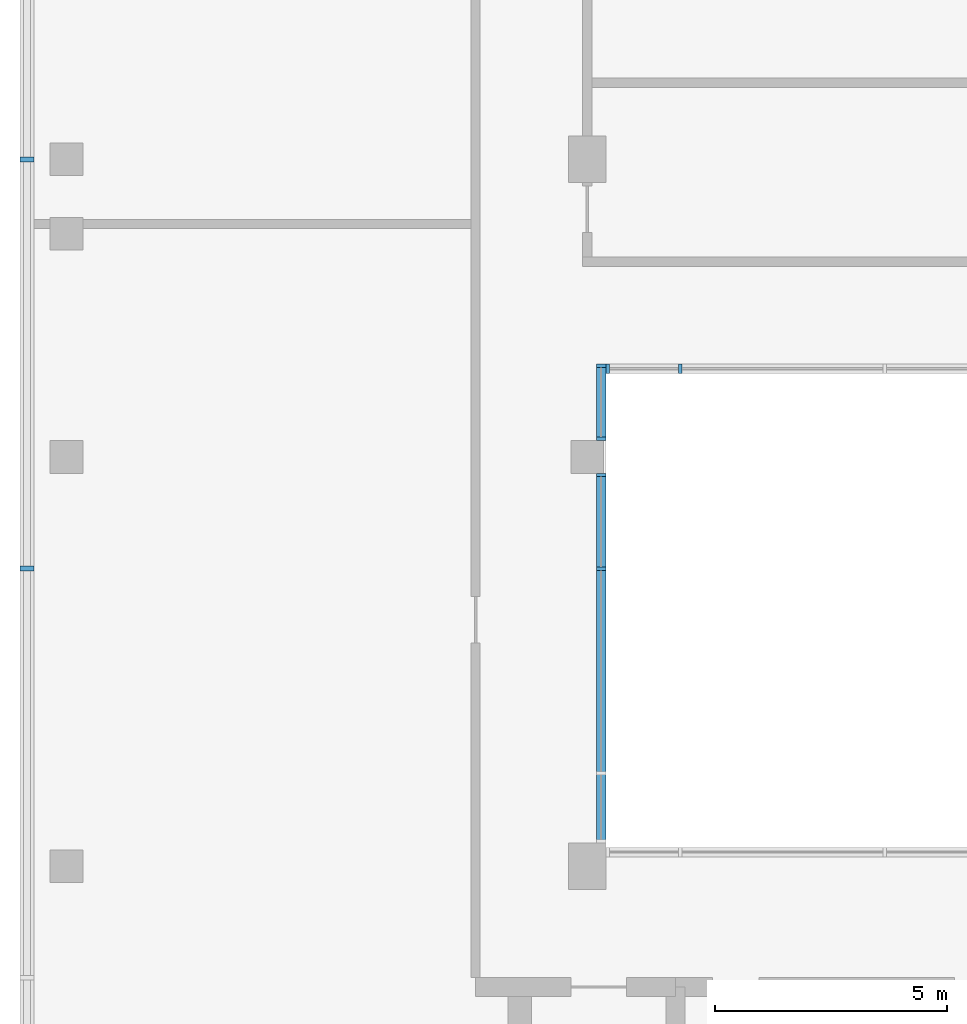
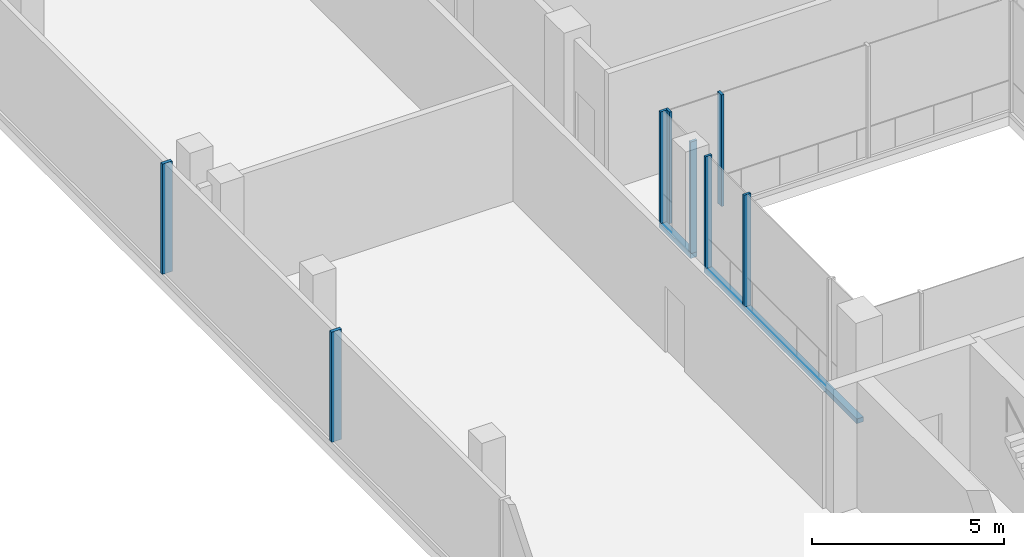
# One storey, part 3 of 10: 10 members, 4 elements without a shape of their own.
"""IFC4 building model written with IfcOpenShell, lengths in metres."""

from ifc_helpers import new_model, si_unit, direction, frame, origin, origin_2d, place, context, subcontext, project, spatial, rectangle, extrude, source, transform, mapped, material, material_profile, profile_set, type_object, element, aggregate, save


model = new_model("IFC4")

# Units and contexts
model_context = context("Model", 3, precision=1e-05, world=origin(), true_north=direction((0.0, 1.0)))
body_context = subcontext(model_context, "Body", "Model", "MODEL_VIEW")
ifc_project = project(units=[si_unit("LENGTHUNIT", "METRE"), si_unit("AREAUNIT", "SQUARE_METRE"), si_unit("VOLUMEUNIT", "CUBIC_METRE"), si_unit("PLANEANGLEUNIT", "RADIAN"), si_unit("MASSUNIT", "GRAM", prefix="KILO")], contexts=[model_context])

# Site, building, storey
site_placement = place(None, origin())
site = spatial("IfcSite", under=ifc_project, at=site_placement, CompositionType="ELEMENT")
building_placement = place(site_placement, origin())
building = spatial("IfcBuilding", under=site, at=building_placement, Name="Kemantara Hotel Tower", CompositionType="ELEMENT")
storey_placement = place(building_placement, frame((0.0, 0.0, 314.199951171875)))
storey = spatial("IfcBuildingStorey", under=building, at=storey_placement, Name="L79", CompositionType="ELEMENT", Elevation=314.199951171875)

# Curtain wall, member
ifc_material_1 = material(Name="Clear low-iron laminated glass 36 mm", Category="glass")
curtain_wall_type_1 = type_object("IfcCurtainWallType", Name="ATRIUM GLAZING WALL", PredefinedType="USERDEFINED", material=ifc_material_1)
curtain_wall_1_placement = place(storey_placement, origin())
curtain_wall_1 = element("IfcCurtainWall", 1, at=curtain_wall_1_placement, inside=storey, type_object=curtain_wall_type_1, Name="CW5 L79 ATR-R3-1", ObjectType="ATRIUM GLAZING WALL", PredefinedType="USERDEFINED")
ifc_material_2 = material(Name="Aluminium 6063-T6 bronze anodised", Category="aluminium")
ifc_material_profile_1 = material_profile(ifc_material_2, rectangle(XDim=0.199951171875, YDim=0.14990234375, at=origin_2d()), Name="ATRIUM GLAZING WALL TRANSOM")
ifc_profile_set_1 = profile_set([ifc_material_profile_1], Name="Aluminium 6063-T6 bronze anodised")
member_type_1 = type_object("IfcMemberType", Name="ATRIUM GLAZING WALL TRANSOM", PredefinedType="USERDEFINED", material=ifc_profile_set_1)
member_1_placement = place(storey_placement, frame((12.5, 12.699951171875, 0.074951171875), z_axis=(0.0, 1.0, 0.0), x_axis=(-1.0, 0.0, 0.0)))
member_1 = element("IfcMember", 2, at=member_1_placement, type_object=member_type_1, Name="CW5 sill transom ATR-R3-1", ObjectType="TRANSOM", PredefinedType="USERDEFINED", context=body_context, shape_type="SweptSolid", body=[
    extrude(rectangle(XDim=0.199951171875, YDim=0.14990234375, at=origin_2d()), origin(), (0.0, 0.0, 1.0), 7.949951171875),
])

curtain_wall_2_placement = place(storey_placement, origin())
curtain_wall_2 = element("IfcCurtainWall", 3, at=curtain_wall_2_placement, inside=storey, type_object=curtain_wall_type_1, Name="CW5 L79 ATR-R3-2", ObjectType="ATRIUM GLAZING WALL", PredefinedType="USERDEFINED")
member_2_placement = place(storey_placement, frame((12.5, 21.35009765625, 0.074951171875), z_axis=(0.0, 1.0, 0.0), x_axis=(-1.0, 0.0, 0.0)))
member_2 = element("IfcMember", 4, at=member_2_placement, type_object=member_type_1, Name="CW5 sill transom ATR-R3-2", ObjectType="TRANSOM", PredefinedType="USERDEFINED", context=body_context, shape_type="SweptSolid", body=[
    extrude(rectangle(XDim=0.199951171875, YDim=0.14990234375, at=origin_2d()), origin(), (0.0, 0.0, 1.0), 1.64990234375),
])

# Curtain wall, members
curtain_wall_type_2 = type_object("IfcCurtainWallType", Name="CROWN LOUVRE SCREEN WALL", PredefinedType="USERDEFINED", material=ifc_material_2)
curtain_wall_3_placement = place(storey_placement, origin())
curtain_wall_3 = element("IfcCurtainWall", 5, at=curtain_wall_3_placement, inside=storey, type_object=curtain_wall_type_2, Name="CW7 L79 CRN-R05-1", ObjectType="CROWN LOUVRE SCREEN WALL", PredefinedType="USERDEFINED")
ifc_material_profile_2 = material_profile(ifc_material_2, rectangle(XDim=0.300048828125, YDim=0.10009765625, at=origin_2d()), Name="CROWN LOUVRE SCREEN WALL MULLION")
ifc_profile_set_2 = profile_set([ifc_material_profile_2], Name="Aluminium 6063-T6 bronze anodised")
member_type_2 = type_object("IfcMemberType", Name="CROWN LOUVRE SCREEN WALL MULLION", PredefinedType="MULLION", material=ifc_profile_set_2)
shared_shape_1 = source(origin(), body_context, "Body", "SweptSolid", [
    extrude(rectangle(XDim=0.300048828125, YDim=0.10009765625, at=origin_2d()), origin(), (0.0, 0.0, 1.0), 3.5),
])
member_3_placement = place(storey_placement, frame((0.14990234375, 27.39990234375, 0.199951171875), z_axis=(0.0, 0.0, 1.0), x_axis=(1.0, 0.0, 0.0)))
member_3 = element("IfcMember", 6, at=member_3_placement, type_object=member_type_2, Name="CW7 mullion CRN-R05-1.5", PredefinedType="MULLION", context=body_context, shape_type="MappedRepresentation", body=[
    mapped(shared_shape_1, transform((0.0, 0.0, 0.0))),
])
member_4_placement = place(storey_placement, frame((0.14990234375, 18.60009765625, 0.199951171875), z_axis=(0.0, 0.0, 1.0), x_axis=(1.0, 0.0, 0.0)))
member_4 = element("IfcMember", 7, at=member_4_placement, type_object=member_type_2, Name="CW7 mullion CRN-R05-1.6", PredefinedType="MULLION", context=body_context, shape_type="MappedRepresentation", body=[
    mapped(shared_shape_1, transform((0.0, 0.0, 0.0))),
])
aggregate(curtain_wall_3, [member_3, member_4])

curtain_wall_4_placement = place(storey_placement, origin())
curtain_wall_4 = element("IfcCurtainWall", 8, at=curtain_wall_4_placement, inside=storey, type_object=curtain_wall_type_1, Name="CW5 L79 ATR-R0-1", ObjectType="ATRIUM GLAZING WALL", PredefinedType="USERDEFINED")
ifc_material_profile_3 = material_profile(ifc_material_2, rectangle(XDim=0.199951171875, YDim=0.074951171875, at=origin_2d()), Name="ATRIUM GLAZING WALL MULLION")
ifc_profile_set_3 = profile_set([ifc_material_profile_3], Name="Aluminium 6063-T6 bronze anodised")
member_type_3 = type_object("IfcMemberType", Name="ATRIUM GLAZING WALL MULLION", PredefinedType="MULLION", material=ifc_profile_set_3)
shared_shape_2 = source(origin(), body_context, "Body", "SweptSolid", [
    extrude(rectangle(XDim=0.199951171875, YDim=0.074951171875, at=origin_2d()), origin(), (0.0, 0.0, 1.0), 3.5498046875),
])
member_5_placement = place(storey_placement, frame((12.637451171875, 22.89990234375, 0.150146484375), z_axis=(0.0, 0.0, 1.0), x_axis=(0.0, 1.0, 0.0)))
member_5 = element("IfcMember", 9, at=member_5_placement, type_object=member_type_3, Name="CW5 mullion ATR-R0-1.1", PredefinedType="MULLION", context=body_context, shape_type="MappedRepresentation", body=[
    mapped(shared_shape_2, transform((0.0, 0.0, 0.0))),
])
member_6_placement = place(storey_placement, frame((14.199951171875, 22.89990234375, 0.150146484375), z_axis=(0.0, 0.0, 1.0), x_axis=(0.0, 1.0, 0.0)))
member_6 = element("IfcMember", 10, at=member_6_placement, type_object=member_type_3, Name="CW5 mullion ATR-R0-1.2", PredefinedType="MULLION", context=body_context, shape_type="MappedRepresentation", body=[
    mapped(shared_shape_2, transform((0.0, 0.0, 0.0))),
])
aggregate(curtain_wall_4, [member_5, member_6])

# Member
member_7_placement = place(storey_placement, frame((12.5, 18.60009765625, 0.150146484375), z_axis=(0.0, 0.0, 1.0), x_axis=(-1.0, 0.0, 0.0)))
member_7 = element("IfcMember", 11, at=member_7_placement, type_object=member_type_3, Name="CW5 mullion ATR-R3-1.3", PredefinedType="MULLION", context=body_context, shape_type="MappedRepresentation", body=[
    mapped(shared_shape_2, transform((0.0, 0.0, 0.0))),
])

member_8_placement = place(storey_placement, frame((12.5, 20.612548828125, 0.150146484375), z_axis=(0.0, 0.0, 1.0), x_axis=(-1.0, 0.0, 0.0)))
member_8 = element("IfcMember", 12, at=member_8_placement, type_object=member_type_3, Name="CW5 mullion ATR-R3-1.4", PredefinedType="MULLION", context=body_context, shape_type="MappedRepresentation", body=[
    mapped(shared_shape_2, transform((0.0, 0.0, 0.0))),
])

aggregate(curtain_wall_1, [member_1, member_7, member_8])

member_9_placement = place(storey_placement, frame((12.5, 21.387451171875, 0.150146484375), z_axis=(0.0, 0.0, 1.0), x_axis=(-1.0, 0.0, 0.0)))
member_9 = element("IfcMember", 13, at=member_9_placement, type_object=member_type_3, Name="CW5 mullion ATR-R3-2.1", PredefinedType="MULLION", context=body_context, shape_type="MappedRepresentation", body=[
    mapped(shared_shape_2, transform((0.0, 0.0, 0.0))),
])

member_10_placement = place(storey_placement, frame((12.5, 22.96240234375, 0.150146484375), z_axis=(0.0, 0.0, 1.0), x_axis=(-1.0, 0.0, 0.0)))
member_10 = element("IfcMember", 14, at=member_10_placement, type_object=member_type_3, Name="CW5 mullion ATR-R3-2.2", PredefinedType="MULLION", context=body_context, shape_type="MappedRepresentation", body=[
    mapped(shared_shape_2, transform((0.0, 0.0, 0.0))),
])

aggregate(curtain_wall_2, [member_2, member_9, member_10])

save(model, "model.ifc")
